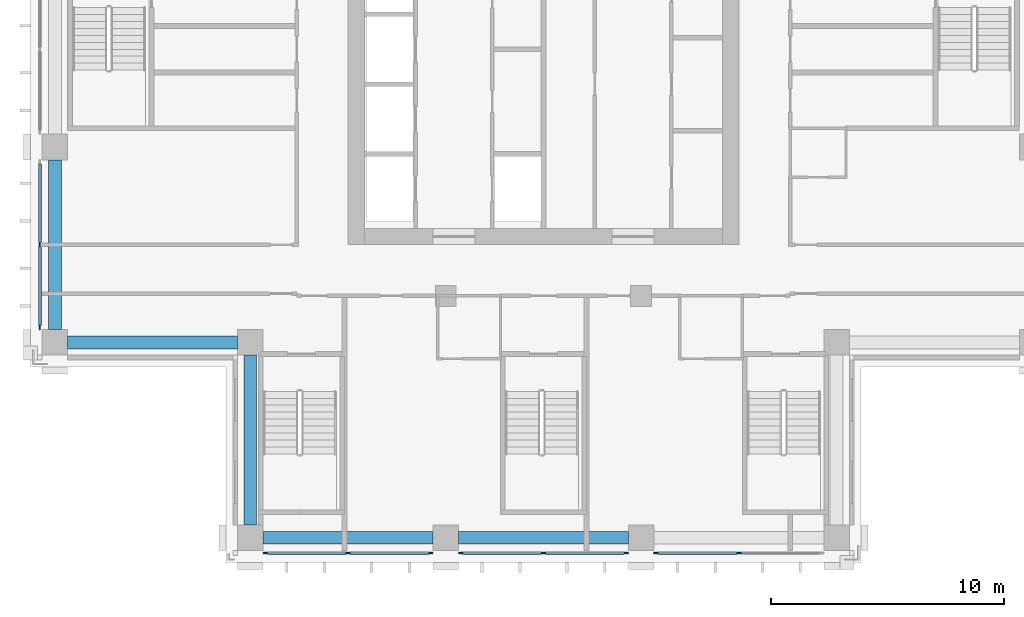
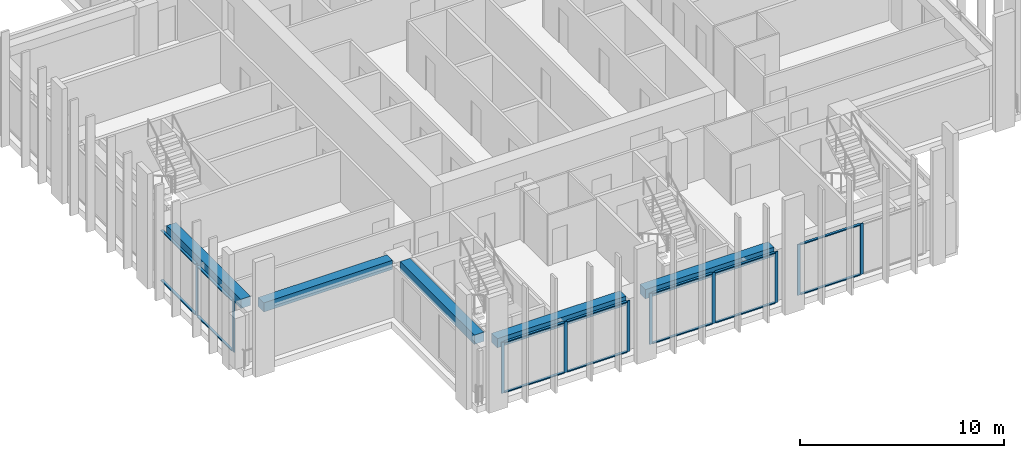
# One storey, part 2 of 16: 24 members, 5 beams, 4 elements without a shape of their own.
"""IFC4 building model written with IfcOpenShell, lengths in metres."""

from ifc_helpers import new_model, si_unit, direction, frame, origin, origin_2d, place, context, subcontext, project, spatial, rectangle, extrude, material, material_profile, profile_set, type_object, element, aggregate, save


model = new_model("IFC4")

# Units and contexts
model_context = context("Model", 3, precision=1e-05, world=origin(), true_north=direction((0.0, 1.0)))
body_context = subcontext(model_context, "Body", "Model", "MODEL_VIEW")
ifc_project = project(units=[si_unit("LENGTHUNIT", "METRE"), si_unit("AREAUNIT", "SQUARE_METRE"), si_unit("VOLUMEUNIT", "CUBIC_METRE"), si_unit("PLANEANGLEUNIT", "RADIAN"), si_unit("MASSUNIT", "GRAM", prefix="KILO")], contexts=[model_context])

# Site, building, storey
site_placement = place(None, origin())
site = spatial("IfcSite", under=ifc_project, at=site_placement, CompositionType="ELEMENT")
building_placement = place(site_placement, origin())
building = spatial("IfcBuilding", under=site, at=building_placement, Name="Vermilion Ogive Tower", CompositionType="ELEMENT")
storey_placement = place(building_placement, frame((0.0, 0.0, 150.35009765625)))
storey = spatial("IfcBuildingStorey", under=building, at=storey_placement, Name="L38", CompositionType="ELEMENT", Elevation=150.35009765625)

# Curtain wall, members
ifc_material_1 = material(Name="Low-iron laminated glazing in aluminium frame", Category="aluminium")
curtain_wall_type = type_object("IfcCurtainWallType", Name="Curtain wall CW7", PredefinedType="NOTDEFINED", material=ifc_material_1)
curtain_wall_1_placement = place(storey_placement, origin())
curtain_wall_1 = element("IfcCurtainWall", 1, at=curtain_wall_1_placement, inside=storey, type_object=curtain_wall_type, Name="Glazed skin S1", PredefinedType="NOTDEFINED")
ifc_material_2 = material(Name="Aluminium mullion", Category="aluminium")
ifc_material_profile_1 = material_profile(ifc_material_2, rectangle(XDim=0.06005859375, YDim=0.179931640625, at=origin_2d()), Name="AL 60x180")
ifc_profile_set_1 = profile_set([ifc_material_profile_1], Name="Aluminium mullion")
member_type_1 = type_object("IfcMemberType", Name="CW7 mullion 60x180", PredefinedType="MULLION", material=ifc_profile_set_1)
member_1_placement = place(storey_placement, frame((-11.9599609375, -21.64990234375, 0.0), z_axis=(0.0, 0.0, 1.0), x_axis=(0.0, 1.0, 0.0)))
member_1 = element("IfcMember", 2, at=member_1_placement, type_object=member_type_1, Name="CW7-S1 mullion 1", PredefinedType="MULLION", context=body_context, shape_type="SweptSolid", body=[
    extrude(rectangle(XDim=0.06005859375, YDim=0.179931640625, at=origin_2d()), origin(), (0.0, 0.0, 1.0), 3.0498046875),
])
member_2_placement = place(storey_placement, frame((-8.39990234375, -21.64990234375, 0.0), z_axis=(0.0, 0.0, 1.0), x_axis=(0.0, 1.0, 0.0)))
member_2 = element("IfcMember", 3, at=member_2_placement, type_object=member_type_1, Name="CW7-S1 mullion 2", PredefinedType="MULLION", context=body_context, shape_type="SweptSolid", body=[
    extrude(rectangle(XDim=0.06005859375, YDim=0.179931640625, at=origin_2d()), origin(), (0.0, 0.0, 1.0), 3.0498046875),
])
member_3_placement = place(storey_placement, frame((-4.840087890625, -21.64990234375, 0.0), z_axis=(0.0, 0.0, 1.0), x_axis=(0.0, 1.0, 0.0)))
member_3 = element("IfcMember", 4, at=member_3_placement, type_object=member_type_1, Name="CW7-S1 mullion 3", PredefinedType="MULLION", context=body_context, shape_type="SweptSolid", body=[
    extrude(rectangle(XDim=0.06005859375, YDim=0.179931640625, at=origin_2d()), origin(), (0.0, 0.0, 1.0), 3.0498046875),
])

curtain_wall_2_placement = place(storey_placement, origin())
curtain_wall_2 = element("IfcCurtainWall", 5, at=curtain_wall_2_placement, inside=storey, type_object=curtain_wall_type, Name="Glazed skin S2", PredefinedType="NOTDEFINED")
member_4_placement = place(storey_placement, frame((-3.56005859375, -21.64990234375, 0.0), z_axis=(0.0, 0.0, 1.0), x_axis=(0.0, 1.0, 0.0)))
member_4 = element("IfcMember", 6, at=member_4_placement, type_object=member_type_1, Name="CW7-S2 mullion 1", PredefinedType="MULLION", context=body_context, shape_type="SweptSolid", body=[
    extrude(rectangle(XDim=0.06005859375, YDim=0.179931640625, at=origin_2d()), origin(), (0.0, 0.0, 1.0), 3.0498046875),
])
member_5_placement = place(storey_placement, frame((0.0, -21.64990234375, 0.0), z_axis=(0.0, 0.0, 1.0), x_axis=(0.0, 1.0, 0.0)))
member_5 = element("IfcMember", 7, at=member_5_placement, type_object=member_type_1, Name="CW7-S2 mullion 2", PredefinedType="MULLION", context=body_context, shape_type="SweptSolid", body=[
    extrude(rectangle(XDim=0.06005859375, YDim=0.179931640625, at=origin_2d()), origin(), (0.0, 0.0, 1.0), 3.0498046875),
])
member_6_placement = place(storey_placement, frame((3.56005859375, -21.64990234375, 0.0), z_axis=(0.0, 0.0, 1.0), x_axis=(0.0, 1.0, 0.0)))
member_6 = element("IfcMember", 8, at=member_6_placement, type_object=member_type_1, Name="CW7-S2 mullion 3", PredefinedType="MULLION", context=body_context, shape_type="SweptSolid", body=[
    extrude(rectangle(XDim=0.06005859375, YDim=0.179931640625, at=origin_2d()), origin(), (0.0, 0.0, 1.0), 3.0498046875),
])

curtain_wall_3_placement = place(storey_placement, origin())
curtain_wall_3 = element("IfcCurtainWall", 9, at=curtain_wall_3_placement, inside=storey, type_object=curtain_wall_type, Name="Glazed skin S3", PredefinedType="NOTDEFINED")
member_7_placement = place(storey_placement, frame((4.840087890625, -21.64990234375, 0.0), z_axis=(0.0, 0.0, 1.0), x_axis=(0.0, 1.0, 0.0)))
member_7 = element("IfcMember", 10, at=member_7_placement, type_object=member_type_1, Name="CW7-S3 mullion 1", PredefinedType="MULLION", context=body_context, shape_type="SweptSolid", body=[
    extrude(rectangle(XDim=0.06005859375, YDim=0.179931640625, at=origin_2d()), origin(), (0.0, 0.0, 1.0), 3.0498046875),
])
member_8_placement = place(storey_placement, frame((8.39990234375, -21.64990234375, 0.0), z_axis=(0.0, 0.0, 1.0), x_axis=(0.0, 1.0, 0.0)))
member_8 = element("IfcMember", 11, at=member_8_placement, type_object=member_type_1, Name="CW7-S3 mullion 2", PredefinedType="MULLION", context=body_context, shape_type="SweptSolid", body=[
    extrude(rectangle(XDim=0.06005859375, YDim=0.179931640625, at=origin_2d()), origin(), (0.0, 0.0, 1.0), 3.0498046875),
])

curtain_wall_4_placement = place(storey_placement, origin())
curtain_wall_4 = element("IfcCurtainWall", 12, at=curtain_wall_4_placement, inside=storey, type_object=curtain_wall_type, Name="Glazed skin W3", PredefinedType="NOTDEFINED")
member_9_placement = place(storey_placement, frame((-21.64990234375, -8.39990234375, 0.0), z_axis=(0.0, 0.0, 1.0), x_axis=(1.0, 0.0, 0.0)))
member_9 = element("IfcMember", 13, at=member_9_placement, type_object=member_type_1, Name="CW7-W3 mullion 2", PredefinedType="MULLION", context=body_context, shape_type="SweptSolid", body=[
    extrude(rectangle(XDim=0.06005859375, YDim=0.179931640625, at=origin_2d()), origin(), (0.0, 0.0, 1.0), 3.0498046875),
])
member_10_placement = place(storey_placement, frame((-21.64990234375, -11.9599609375, 0.0), z_axis=(0.0, 0.0, 1.0), x_axis=(1.0, 0.0, 0.0)))
member_10 = element("IfcMember", 14, at=member_10_placement, type_object=member_type_1, Name="CW7-W3 mullion 3", PredefinedType="MULLION", context=body_context, shape_type="SweptSolid", body=[
    extrude(rectangle(XDim=0.06005859375, YDim=0.179931640625, at=origin_2d()), origin(), (0.0, 0.0, 1.0), 3.0498046875),
])

# Member
ifc_material_3 = material(Name="Aluminium transom", Category="aluminium")
ifc_material_profile_2 = material_profile(ifc_material_3, rectangle(XDim=0.139892578125, YDim=0.06005859375, at=origin_2d()), Name="AL 60x140")
ifc_profile_set_2 = profile_set([ifc_material_profile_2], Name="Aluminium transom")
member_type_2 = type_object("IfcMemberType", Name="CW7 transom 60x140", PredefinedType="USERDEFINED", material=ifc_profile_set_2)
member_11_placement = place(storey_placement, frame((-11.8701171875, -21.64990234375, 0.02978515625), z_axis=(1.0, 0.0, 0.0), x_axis=(0.0, 1.0, 0.0)))
member_11 = element("IfcMember", 15, at=member_11_placement, type_object=member_type_2, Name="CW7-S1 transom 1.1", ObjectType="TRANSOM", PredefinedType="USERDEFINED", context=body_context, shape_type="SweptSolid", body=[
    extrude(rectangle(XDim=0.139892578125, YDim=0.06005859375, at=origin_2d()), origin(), (0.0, 0.0, 1.0), 3.380126953125),
])

member_12_placement = place(storey_placement, frame((-11.8701171875, -21.64990234375, 3.02001953125), z_axis=(1.0, 0.0, 0.0), x_axis=(0.0, 1.0, 0.0)))
member_12 = element("IfcMember", 16, at=member_12_placement, type_object=member_type_2, Name="CW7-S1 transom 1.2", ObjectType="TRANSOM", PredefinedType="USERDEFINED", context=body_context, shape_type="SweptSolid", body=[
    extrude(rectangle(XDim=0.139892578125, YDim=0.06005859375, at=origin_2d()), origin(), (0.0, 0.0, 1.0), 3.380126953125),
])

member_13_placement = place(storey_placement, frame((-8.31005859375, -21.64990234375, 0.02978515625), z_axis=(1.0, 0.0, 0.0), x_axis=(0.0, 1.0, 0.0)))
member_13 = element("IfcMember", 17, at=member_13_placement, type_object=member_type_2, Name="CW7-S1 transom 2.1", ObjectType="TRANSOM", PredefinedType="USERDEFINED", context=body_context, shape_type="SweptSolid", body=[
    extrude(rectangle(XDim=0.139892578125, YDim=0.06005859375, at=origin_2d()), origin(), (0.0, 0.0, 1.0), 3.380126953125),
])

member_14_placement = place(storey_placement, frame((-8.31005859375, -21.64990234375, 3.02001953125), z_axis=(1.0, 0.0, 0.0), x_axis=(0.0, 1.0, 0.0)))
member_14 = element("IfcMember", 18, at=member_14_placement, type_object=member_type_2, Name="CW7-S1 transom 2.2", ObjectType="TRANSOM", PredefinedType="USERDEFINED", context=body_context, shape_type="SweptSolid", body=[
    extrude(rectangle(XDim=0.139892578125, YDim=0.06005859375, at=origin_2d()), origin(), (0.0, 0.0, 1.0), 3.380126953125),
])

aggregate(curtain_wall_1, [member_1, member_2, member_3, member_11, member_12, member_13, member_14])

member_15_placement = place(storey_placement, frame((-3.469970703125, -21.64990234375, 0.02978515625), z_axis=(1.0, 0.0, 0.0), x_axis=(0.0, 1.0, 0.0)))
member_15 = element("IfcMember", 19, at=member_15_placement, type_object=member_type_2, Name="CW7-S2 transom 1.1", ObjectType="TRANSOM", PredefinedType="USERDEFINED", context=body_context, shape_type="SweptSolid", body=[
    extrude(rectangle(XDim=0.139892578125, YDim=0.06005859375, at=origin_2d()), origin(), (0.0, 0.0, 1.0), 3.3798828125),
])

member_16_placement = place(storey_placement, frame((-3.469970703125, -21.64990234375, 3.02001953125), z_axis=(1.0, 0.0, 0.0), x_axis=(0.0, 1.0, 0.0)))
member_16 = element("IfcMember", 20, at=member_16_placement, type_object=member_type_2, Name="CW7-S2 transom 1.2", ObjectType="TRANSOM", PredefinedType="USERDEFINED", context=body_context, shape_type="SweptSolid", body=[
    extrude(rectangle(XDim=0.139892578125, YDim=0.06005859375, at=origin_2d()), origin(), (0.0, 0.0, 1.0), 3.3798828125),
])

member_17_placement = place(storey_placement, frame((0.090087890625, -21.64990234375, 0.02978515625), z_axis=(1.0, 0.0, 0.0), x_axis=(0.0, 1.0, 0.0)))
member_17 = element("IfcMember", 21, at=member_17_placement, type_object=member_type_2, Name="CW7-S2 transom 2.1", ObjectType="TRANSOM", PredefinedType="USERDEFINED", context=body_context, shape_type="SweptSolid", body=[
    extrude(rectangle(XDim=0.139892578125, YDim=0.06005859375, at=origin_2d()), origin(), (0.0, 0.0, 1.0), 3.3798828125),
])

member_18_placement = place(storey_placement, frame((0.090087890625, -21.64990234375, 3.02001953125), z_axis=(1.0, 0.0, 0.0), x_axis=(0.0, 1.0, 0.0)))
member_18 = element("IfcMember", 22, at=member_18_placement, type_object=member_type_2, Name="CW7-S2 transom 2.2", ObjectType="TRANSOM", PredefinedType="USERDEFINED", context=body_context, shape_type="SweptSolid", body=[
    extrude(rectangle(XDim=0.139892578125, YDim=0.06005859375, at=origin_2d()), origin(), (0.0, 0.0, 1.0), 3.3798828125),
])

aggregate(curtain_wall_2, [member_4, member_5, member_6, member_15, member_16, member_17, member_18])

member_19_placement = place(storey_placement, frame((4.929931640625, -21.64990234375, 0.02978515625), z_axis=(1.0, 0.0, 0.0), x_axis=(0.0, 1.0, 0.0)))
member_19 = element("IfcMember", 23, at=member_19_placement, type_object=member_type_2, Name="CW7-S3 transom 1.1", ObjectType="TRANSOM", PredefinedType="USERDEFINED", context=body_context, shape_type="SweptSolid", body=[
    extrude(rectangle(XDim=0.139892578125, YDim=0.06005859375, at=origin_2d()), origin(), (0.0, 0.0, 1.0), 3.380126953125),
])

member_20_placement = place(storey_placement, frame((4.929931640625, -21.64990234375, 3.02001953125), z_axis=(1.0, 0.0, 0.0), x_axis=(0.0, 1.0, 0.0)))
member_20 = element("IfcMember", 24, at=member_20_placement, type_object=member_type_2, Name="CW7-S3 transom 1.2", ObjectType="TRANSOM", PredefinedType="USERDEFINED", context=body_context, shape_type="SweptSolid", body=[
    extrude(rectangle(XDim=0.139892578125, YDim=0.06005859375, at=origin_2d()), origin(), (0.0, 0.0, 1.0), 3.380126953125),
])

aggregate(curtain_wall_3, [member_7, member_8, member_19, member_20])

member_21_placement = place(storey_placement, frame((-21.64990234375, -4.929931640625, 0.02978515625), z_axis=(0.0, -1.0, 0.0), x_axis=(1.0, 0.0, 0.0)))
member_21 = element("IfcMember", 25, at=member_21_placement, type_object=member_type_2, Name="CW7-W3 transom 1.1", ObjectType="TRANSOM", PredefinedType="USERDEFINED", context=body_context, shape_type="SweptSolid", body=[
    extrude(rectangle(XDim=0.139892578125, YDim=0.06005859375, at=origin_2d()), origin(), (0.0, 0.0, 1.0), 3.380126953125),
])

member_22_placement = place(storey_placement, frame((-21.64990234375, -4.929931640625, 3.02001953125), z_axis=(0.0, -1.0, 0.0), x_axis=(1.0, 0.0, 0.0)))
member_22 = element("IfcMember", 26, at=member_22_placement, type_object=member_type_2, Name="CW7-W3 transom 1.2", ObjectType="TRANSOM", PredefinedType="USERDEFINED", context=body_context, shape_type="SweptSolid", body=[
    extrude(rectangle(XDim=0.139892578125, YDim=0.06005859375, at=origin_2d()), origin(), (0.0, 0.0, 1.0), 3.380126953125),
])

member_23_placement = place(storey_placement, frame((-21.64990234375, -8.489990234375, 0.02978515625), z_axis=(0.0, -1.0, 0.0), x_axis=(1.0, 0.0, 0.0)))
member_23 = element("IfcMember", 27, at=member_23_placement, type_object=member_type_2, Name="CW7-W3 transom 2.1", ObjectType="TRANSOM", PredefinedType="USERDEFINED", context=body_context, shape_type="SweptSolid", body=[
    extrude(rectangle(XDim=0.139892578125, YDim=0.06005859375, at=origin_2d()), origin(), (0.0, 0.0, 1.0), 3.380126953125),
])

member_24_placement = place(storey_placement, frame((-21.64990234375, -8.489990234375, 3.02001953125), z_axis=(0.0, -1.0, 0.0), x_axis=(1.0, 0.0, 0.0)))
member_24 = element("IfcMember", 28, at=member_24_placement, type_object=member_type_2, Name="CW7-W3 transom 2.2", ObjectType="TRANSOM", PredefinedType="USERDEFINED", context=body_context, shape_type="SweptSolid", body=[
    extrude(rectangle(XDim=0.139892578125, YDim=0.06005859375, at=origin_2d()), origin(), (0.0, 0.0, 1.0), 3.380126953125),
])

aggregate(curtain_wall_4, [member_9, member_10, member_21, member_22, member_23, member_24])

# Beams
ifc_material_4 = material(Name="Concrete B45", Category="concrete")
ifc_material_profile_3 = material_profile(ifc_material_4, rectangle(XDim=0.550048828125, YDim=0.550048828125, at=origin_2d()), Name="550 x 550")
ifc_profile_set_3 = profile_set([ifc_material_profile_3], Name="Concrete B45")
beam_type = type_object("IfcBeamType", Name="Edge beam 550 x 550 B45", PredefinedType="BEAM", material=ifc_profile_set_3)
beam_1_placement = place(storey_placement, frame((-12.050048828125, -21.0, 2.77490234375), z_axis=(1.0, 0.0, 0.0), x_axis=(0.0, 1.0, 0.0)))
element("IfcBeam", 29, at=beam_1_placement, inside=storey, type_object=beam_type, Name="L38-EB-1", PredefinedType="BEAM", context=body_context, shape_type="SweptSolid", body=[
    extrude(rectangle(XDim=0.550048828125, YDim=0.550048828125, at=origin_2d()), origin(), (0.0, 0.0, 1.0), 7.300048828125),
])
beam_2_placement = place(storey_placement, frame((-3.64990234375, -21.0, 2.77490234375), z_axis=(1.0, 0.0, 0.0), x_axis=(0.0, 1.0, 0.0)))
element("IfcBeam", 30, at=beam_2_placement, inside=storey, type_object=beam_type, Name="L38-EB-2", PredefinedType="BEAM", context=body_context, shape_type="SweptSolid", body=[
    extrude(rectangle(XDim=0.550048828125, YDim=0.550048828125, at=origin_2d()), origin(), (0.0, 0.0, 1.0), 7.2998046875),
])
for number, where, z_axis, x_axis, name in (
    (31, (-21.0, -4.75, 2.77490234375), (0.0, -1.0, 0.0), (1.0, 0.0, 0.0), "L38-EB-15"),
    (32, (-20.449951171875, -12.60009765625, 2.77490234375), (1.0, 0.0, 0.0), (0.0, 1.0, 0.0), "L38-EB-16"),
    (33, (-12.60009765625, -13.14990234375, 2.77490234375), (0.0, -1.0, 0.0), (1.0, 0.0, 0.0), "L38-EB-17"),
):
    element("IfcBeam", number, at=place(storey_placement, frame(where, z_axis=z_axis, x_axis=x_axis)), inside=storey, type_object=beam_type, Name=name, PredefinedType="BEAM", context=body_context, shape_type="SweptSolid", body=[
        extrude(rectangle(XDim=0.550048828125, YDim=0.550048828125, at=origin_2d()), origin(), (0.0, 0.0, 1.0), 7.300048828125),
    ])

save(model, "model.ifc")
